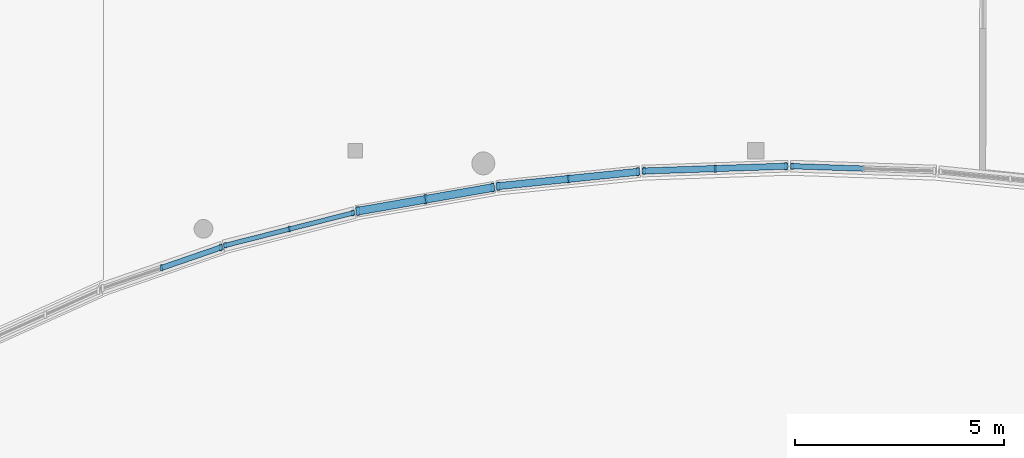
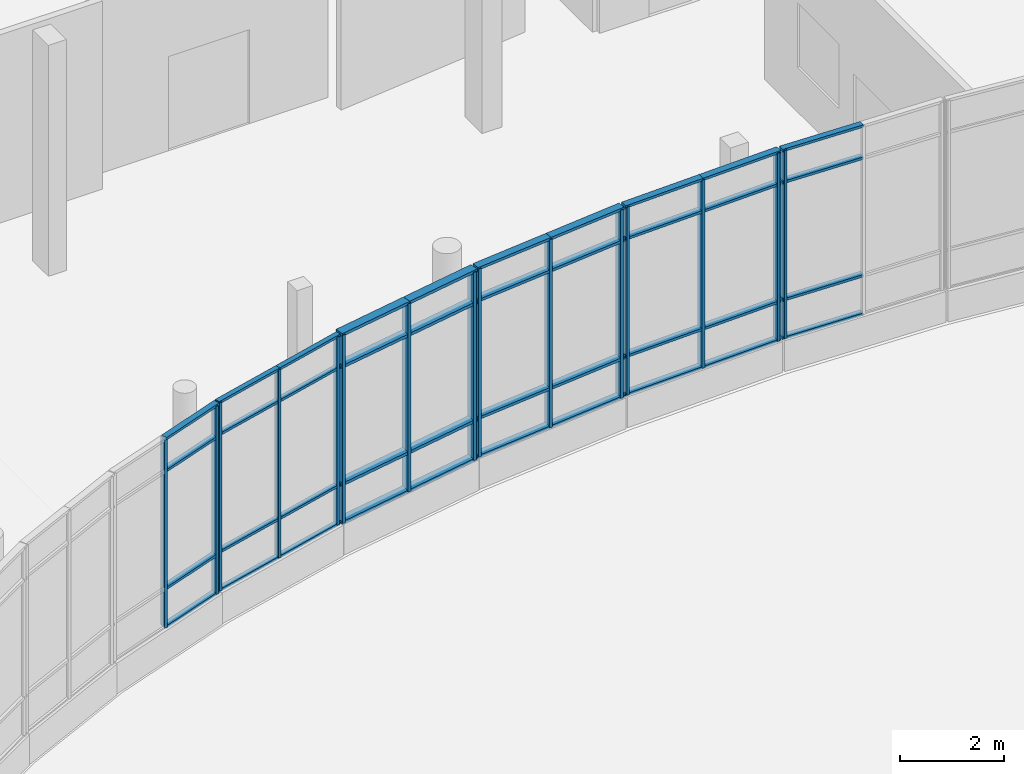
# One storey, part 22 of 84: 55 members, 6 elements without a shape of their own.
"""IFC4 building model written with IfcOpenShell, lengths in metres."""

from ifc_helpers import new_model, si_unit, direction, frame, origin, origin_2d, place, context, subcontext, project, spatial, rectangle, extrude, material, material_profile, profile_set, type_object, element, aggregate, save


model = new_model("IFC4")

# Units and contexts
model_context = context("Model", 3, precision=1e-05, world=origin(), true_north=direction((0.0, 1.0)))
body_context = subcontext(model_context, "Body", "Model", "MODEL_VIEW")
ifc_project = project(units=[si_unit("LENGTHUNIT", "METRE"), si_unit("AREAUNIT", "SQUARE_METRE"), si_unit("VOLUMEUNIT", "CUBIC_METRE"), si_unit("PLANEANGLEUNIT", "RADIAN"), si_unit("MASSUNIT", "GRAM", prefix="KILO")], contexts=[model_context])

# Site, building, storey
site_placement = place(None, origin())
site = spatial("IfcSite", under=ifc_project, at=site_placement, CompositionType="ELEMENT")
building_placement = place(site_placement, origin())
building = spatial("IfcBuilding", under=site, at=building_placement, Name="Mzevani Central Library", CompositionType="ELEMENT")
storey_placement = place(building_placement, origin())
storey = spatial("IfcBuildingStorey", under=building, at=storey_placement, Name="L00", CompositionType="ELEMENT", Elevation=0.0)

# Curtain wall, members
ifc_material_1 = material(Name="Thermally broken aluminium and Low-E triple glazing", Category="aluminium")
curtain_wall_type_1 = type_object("IfcCurtainWallType", Name="Reading Hall Northlight Curtain Wall", PredefinedType="NOTDEFINED", material=ifc_material_1)
curtain_wall_1_placement = place(storey_placement, origin())
curtain_wall_1 = element("IfcCurtainWall", 1, at=curtain_wall_1_placement, inside=storey, type_object=curtain_wall_type_1, Name="L00 Elliptical Court Curtain Wall 16", PredefinedType="NOTDEFINED")
ifc_material_2 = material(Name="Thermally broken aluminium AW-6060", Category="aluminium")
ifc_material_profile_1 = material_profile(ifc_material_2, rectangle(XDim=0.06005859375, YDim=0.139892578125, at=origin_2d()), Name="ALU M60x140")
ifc_profile_set_1 = profile_set([ifc_material_profile_1], Name="Thermally broken aluminium AW-6060")
member_type_1 = type_object("IfcMemberType", Name="CW Mullion 60x140", PredefinedType="MULLION", material=ifc_profile_set_1)
member_1_placement = place(storey_placement, frame((73.54345703125, 88.907470703125, 0.719970703125), z_axis=(0.0, 0.0, 1.0), x_axis=(1.0, 0.0, 0.0)))
member_1 = element("IfcMember", 2, at=member_1_placement, type_object=member_type_1, Name="L00 Elliptical Court Curtain Wall 16 Mullion 1", PredefinedType="MULLION", context=body_context, shape_type="SweptSolid", body=[
    extrude(rectangle(XDim=0.06005859375, YDim=0.139892578125, at=origin_2d()), origin(), (0.0, 0.0, 1.0), 4.400146484375),
])
member_2_placement = place(storey_placement, frame((72.02001953125, 88.520263671875, 0.719970703125), z_axis=(0.0, 0.0, 1.0), x_axis=(1.0, 0.0, 0.0)))
member_2 = element("IfcMember", 3, at=member_2_placement, type_object=member_type_1, Name="L00 Elliptical Court Curtain Wall 16 Mullion 2", PredefinedType="MULLION", context=body_context, shape_type="SweptSolid", body=[
    extrude(rectangle(XDim=0.06005859375, YDim=0.139892578125, at=origin_2d()), origin(), (0.0, 0.0, 1.0), 4.400146484375),
])
member_3_placement = place(storey_placement, frame((70.496337890625, 88.133056640625, 0.719970703125), z_axis=(0.0, 0.0, 1.0), x_axis=(1.0, 0.0, 0.0)))
member_3 = element("IfcMember", 4, at=member_3_placement, type_object=member_type_1, Name="L00 Elliptical Court Curtain Wall 16 Mullion 3", PredefinedType="MULLION", context=body_context, shape_type="SweptSolid", body=[
    extrude(rectangle(XDim=0.06005859375, YDim=0.139892578125, at=origin_2d()), origin(), (0.0, 0.0, 1.0), 4.400146484375),
])

# Curtain wall, member
curtain_wall_type_2 = type_object("IfcCurtainWallType", Name="Elliptical Court Unitised Curtain Wall", PredefinedType="NOTDEFINED", material=ifc_material_1)
curtain_wall_2_placement = place(storey_placement, origin())
curtain_wall_2 = element("IfcCurtainWall", 5, at=curtain_wall_2_placement, inside=storey, type_object=curtain_wall_type_2, Name="L00 Elliptical Court Curtain Wall 12", PredefinedType="NOTDEFINED")
ifc_material_profile_2 = material_profile(ifc_material_2, rectangle(XDim=0.06005859375, YDim=0.159912109375, at=origin_2d()), Name="ALU M60x160")
ifc_profile_set_2 = profile_set([ifc_material_profile_2], Name="Thermally broken aluminium AW-6060")
member_type_2 = type_object("IfcMemberType", Name="CW Mullion 60x160", PredefinedType="MULLION", material=ifc_profile_set_2)
member_4_placement = place(storey_placement, frame((84.077880859375, 90.02880859375, 0.719970703125), z_axis=(0.0, 0.0, 1.0), x_axis=(1.0, 0.0, 0.0)))
member_4 = element("IfcMember", 6, at=member_4_placement, type_object=member_type_2, Name="L00 Elliptical Court Curtain Wall 12 Mullion 3", PredefinedType="MULLION", context=body_context, shape_type="SweptSolid", body=[
    extrude(rectangle(XDim=0.06005859375, YDim=0.159912109375, at=origin_2d()), origin(), (0.0, 0.0, 1.0), 4.400146484375),
])

# Curtain wall, members
curtain_wall_3_placement = place(storey_placement, origin())
curtain_wall_3 = element("IfcCurtainWall", 7, at=curtain_wall_3_placement, inside=storey, type_object=curtain_wall_type_2, Name="L00 Elliptical Court Curtain Wall 17", PredefinedType="NOTDEFINED")
member_5_placement = place(storey_placement, frame((70.37841796875, 88.079833984375, 0.719970703125), z_axis=(0.0, 0.0, 1.0), x_axis=(1.0, 0.0, 0.0)))
member_5 = element("IfcMember", 8, at=member_5_placement, type_object=member_type_2, Name="L00 Elliptical Court Curtain Wall 17 Mullion 1", PredefinedType="MULLION", context=body_context, shape_type="SweptSolid", body=[
    extrude(rectangle(XDim=0.06005859375, YDim=0.159912109375, at=origin_2d()), origin(), (0.0, 0.0, 1.0), 4.400146484375),
])
member_6_placement = place(storey_placement, frame((68.968505859375, 87.59423828125, 0.719970703125), z_axis=(0.0, 0.0, 1.0), x_axis=(1.0, 0.0, 0.0)))
member_6 = element("IfcMember", 9, at=member_6_placement, type_object=member_type_2, Name="L00 Elliptical Court Curtain Wall 17 Mullion 2", PredefinedType="MULLION", context=body_context, shape_type="SweptSolid", body=[
    extrude(rectangle(XDim=0.06005859375, YDim=0.159912109375, at=origin_2d()), origin(), (0.0, 0.0, 1.0), 4.400146484375),
])

curtain_wall_4_placement = place(storey_placement, origin())
curtain_wall_4 = element("IfcCurtainWall", 10, at=curtain_wall_4_placement, inside=storey, type_object=curtain_wall_type_1, Name="L00 Elliptical Court Curtain Wall 13", PredefinedType="NOTDEFINED")
ifc_material_profile_3 = material_profile(ifc_material_2, rectangle(XDim=0.06005859375, YDim=0.179931640625, at=origin_2d()), Name="ALU M60x180")
ifc_profile_set_3 = profile_set([ifc_material_profile_3], Name="Thermally broken aluminium AW-6060")
member_type_3 = type_object("IfcMemberType", Name="CW Mullion 60x180", PredefinedType="MULLION", material=ifc_profile_set_3)
member_7_placement = place(storey_placement, frame((83.922119140625, 90.02880859375, 0.719970703125), z_axis=(0.0, 0.0, 1.0), x_axis=(1.0, 0.0, 0.0)))
member_7 = element("IfcMember", 11, at=member_7_placement, type_object=member_type_3, Name="L00 Elliptical Court Curtain Wall 13 Mullion 1", PredefinedType="MULLION", context=body_context, shape_type="SweptSolid", body=[
    extrude(rectangle(XDim=0.06005859375, YDim=0.179931640625, at=origin_2d()), origin(), (0.0, 0.0, 1.0), 4.400146484375),
])
member_8_placement = place(storey_placement, frame((82.22314453125, 89.971435546875, 0.719970703125), z_axis=(0.0, 0.0, 1.0), x_axis=(1.0, 0.0, 0.0)))
member_8 = element("IfcMember", 12, at=member_8_placement, type_object=member_type_3, Name="L00 Elliptical Court Curtain Wall 13 Mullion 2", PredefinedType="MULLION", context=body_context, shape_type="SweptSolid", body=[
    extrude(rectangle(XDim=0.06005859375, YDim=0.179931640625, at=origin_2d()), origin(), (0.0, 0.0, 1.0), 4.400146484375),
])
member_9_placement = place(storey_placement, frame((80.524169921875, 89.9140625, 0.719970703125), z_axis=(0.0, 0.0, 1.0), x_axis=(1.0, 0.0, 0.0)))
member_9 = element("IfcMember", 13, at=member_9_placement, type_object=member_type_3, Name="L00 Elliptical Court Curtain Wall 13 Mullion 3", PredefinedType="MULLION", context=body_context, shape_type="SweptSolid", body=[
    extrude(rectangle(XDim=0.06005859375, YDim=0.179931640625, at=origin_2d()), origin(), (0.0, 0.0, 1.0), 4.400146484375),
])

curtain_wall_5_placement = place(storey_placement, origin())
curtain_wall_5 = element("IfcCurtainWall", 14, at=curtain_wall_5_placement, inside=storey, type_object=curtain_wall_type_2, Name="L00 Elliptical Court Curtain Wall 14", PredefinedType="NOTDEFINED")
ifc_material_profile_4 = material_profile(ifc_material_2, rectangle(XDim=0.06494140625, YDim=0.199951171875, at=origin_2d()), Name="ALU M65x200")
ifc_profile_set_4 = profile_set([ifc_material_profile_4], Name="Thermally broken aluminium AW-6060")
member_type_4 = type_object("IfcMemberType", Name="CW Mullion 65x200", PredefinedType="MULLION", material=ifc_profile_set_4)
member_10_placement = place(storey_placement, frame((80.373046875, 89.894287109375, 0.719970703125), z_axis=(0.0, 0.0, 1.0), x_axis=(1.0, 0.0, 0.0)))
member_10 = element("IfcMember", 15, at=member_10_placement, type_object=member_type_4, Name="L00 Elliptical Court Curtain Wall 14 Mullion 1", PredefinedType="MULLION", context=body_context, shape_type="SweptSolid", body=[
    extrude(rectangle(XDim=0.06494140625, YDim=0.199951171875, at=origin_2d()), origin(), (0.0, 0.0, 1.0), 4.400146484375),
])
member_11_placement = place(storey_placement, frame((78.70361328125, 89.72314453125, 0.719970703125), z_axis=(0.0, 0.0, 1.0), x_axis=(1.0, 0.0, 0.0)))
member_11 = element("IfcMember", 16, at=member_11_placement, type_object=member_type_4, Name="L00 Elliptical Court Curtain Wall 14 Mullion 2", PredefinedType="MULLION", context=body_context, shape_type="SweptSolid", body=[
    extrude(rectangle(XDim=0.06494140625, YDim=0.199951171875, at=origin_2d()), origin(), (0.0, 0.0, 1.0), 4.400146484375),
])
member_12_placement = place(storey_placement, frame((77.0341796875, 89.552001953125, 0.719970703125), z_axis=(0.0, 0.0, 1.0), x_axis=(1.0, 0.0, 0.0)))
member_12 = element("IfcMember", 17, at=member_12_placement, type_object=member_type_4, Name="L00 Elliptical Court Curtain Wall 14 Mullion 3", PredefinedType="MULLION", context=body_context, shape_type="SweptSolid", body=[
    extrude(rectangle(XDim=0.06494140625, YDim=0.199951171875, at=origin_2d()), origin(), (0.0, 0.0, 1.0), 4.400146484375),
])

curtain_wall_6_placement = place(storey_placement, origin())
curtain_wall_6 = element("IfcCurtainWall", 18, at=curtain_wall_6_placement, inside=storey, type_object=curtain_wall_type_2, Name="L00 Elliptical Court Curtain Wall 15", PredefinedType="NOTDEFINED")
ifc_material_profile_5 = material_profile(ifc_material_2, rectangle(XDim=0.070068359375, YDim=0.219970703125, at=origin_2d()), Name="ALU M70x220")
ifc_profile_set_5 = profile_set([ifc_material_profile_5], Name="Thermally broken aluminium AW-6060")
member_type_5 = type_object("IfcMemberType", Name="CW Mullion 70x220", PredefinedType="MULLION", material=ifc_profile_set_5)
member_13_placement = place(storey_placement, frame((76.893310546875, 89.516845703125, 0.719970703125), z_axis=(0.0, 0.0, 1.0), x_axis=(1.0, 0.0, 0.0)))
member_13 = element("IfcMember", 19, at=member_13_placement, type_object=member_type_5, Name="L00 Elliptical Court Curtain Wall 15 Mullion 1", PredefinedType="MULLION", context=body_context, shape_type="SweptSolid", body=[
    extrude(rectangle(XDim=0.070068359375, YDim=0.219970703125, at=origin_2d()), origin(), (0.0, 0.0, 1.0), 4.400146484375),
])
member_14_placement = place(storey_placement, frame((75.282958984375, 89.235107421875, 0.719970703125), z_axis=(0.0, 0.0, 1.0), x_axis=(1.0, 0.0, 0.0)))
member_14 = element("IfcMember", 20, at=member_14_placement, type_object=member_type_5, Name="L00 Elliptical Court Curtain Wall 15 Mullion 2", PredefinedType="MULLION", context=body_context, shape_type="SweptSolid", body=[
    extrude(rectangle(XDim=0.070068359375, YDim=0.219970703125, at=origin_2d()), origin(), (0.0, 0.0, 1.0), 4.400146484375),
])
member_15_placement = place(storey_placement, frame((73.67236328125, 88.953125, 0.719970703125), z_axis=(0.0, 0.0, 1.0), x_axis=(1.0, 0.0, 0.0)))
member_15 = element("IfcMember", 21, at=member_15_placement, type_object=member_type_5, Name="L00 Elliptical Court Curtain Wall 15 Mullion 3", PredefinedType="MULLION", context=body_context, shape_type="SweptSolid", body=[
    extrude(rectangle(XDim=0.070068359375, YDim=0.219970703125, at=origin_2d()), origin(), (0.0, 0.0, 1.0), 4.400146484375),
])

# Member
ifc_material_profile_6 = material_profile(ifc_material_2, rectangle(XDim=0.110107421875, YDim=0.06005859375, at=origin_2d()), Name="ALU T60x110")
ifc_profile_set_6 = profile_set([ifc_material_profile_6], Name="Thermally broken aluminium AW-6060")
member_type_6 = type_object("IfcMemberType", Name="CW Transom 60x110", PredefinedType="USERDEFINED", material=ifc_profile_set_6)
member_16_placement = place(storey_placement, frame((73.592041015625, 88.919921875, 0.719970703125), z_axis=(-0.969169749502, -0.246393986634, 0.0), x_axis=(0.246393986634, -0.969169749502, 0.0)))
member_16 = element("IfcMember", 22, at=member_16_placement, type_object=member_type_6, Name="L00 Elliptical Court Curtain Wall 16 Transom 1", ObjectType="TRANSOM", PredefinedType="USERDEFINED", context=body_context, shape_type="SweptSolid", body=[
    extrude(rectangle(XDim=0.110107421875, YDim=0.06005859375, at=origin_2d()), origin(), (0.0, 0.0, 1.0), 1.6220703125),
])

member_17_placement = place(storey_placement, frame((73.592041015625, 88.919921875, 1.6201171875), z_axis=(-0.969169749502, -0.246393986634, 0.0), x_axis=(0.246393986634, -0.969169749502, 0.0)))
member_17 = element("IfcMember", 23, at=member_17_placement, type_object=member_type_6, Name="L00 Elliptical Court Curtain Wall 16 Transom 2", ObjectType="TRANSOM", PredefinedType="USERDEFINED", context=body_context, shape_type="SweptSolid", body=[
    extrude(rectangle(XDim=0.110107421875, YDim=0.06005859375, at=origin_2d()), origin(), (0.0, 0.0, 1.0), 1.6220703125),
])

member_18_placement = place(storey_placement, frame((73.592041015625, 88.919921875, 4.3701171875), z_axis=(-0.969169749502, -0.246393986634, 0.0), x_axis=(0.246393986634, -0.969169749502, 0.0)))
member_18 = element("IfcMember", 24, at=member_18_placement, type_object=member_type_6, Name="L00 Elliptical Court Curtain Wall 16 Transom 3", ObjectType="TRANSOM", PredefinedType="USERDEFINED", context=body_context, shape_type="SweptSolid", body=[
    extrude(rectangle(XDim=0.110107421875, YDim=0.06005859375, at=origin_2d()), origin(), (0.0, 0.0, 1.0), 1.6220703125),
])

member_19_placement = place(storey_placement, frame((73.592041015625, 88.919921875, 5.1201171875), z_axis=(-0.969169749502, -0.246393986634, 0.0), x_axis=(0.246393986634, -0.969169749502, 0.0)))
member_19 = element("IfcMember", 25, at=member_19_placement, type_object=member_type_6, Name="L00 Elliptical Court Curtain Wall 16 Transom 4", ObjectType="TRANSOM", PredefinedType="USERDEFINED", context=body_context, shape_type="SweptSolid", body=[
    extrude(rectangle(XDim=0.110107421875, YDim=0.06005859375, at=origin_2d()), origin(), (0.0, 0.0, 1.0), 1.6220703125),
])

member_20_placement = place(storey_placement, frame((72.02001953125, 88.520263671875, 0.719970703125), z_axis=(-0.969205683279, -0.246252601001, 0.0), x_axis=(0.246252601001, -0.969205683279, 0.0)))
member_20 = element("IfcMember", 26, at=member_20_placement, type_object=member_type_6, Name="L00 Elliptical Court Curtain Wall 16 Transom 5", ObjectType="TRANSOM", PredefinedType="USERDEFINED", context=body_context, shape_type="SweptSolid", body=[
    extrude(rectangle(XDim=0.110107421875, YDim=0.06005859375, at=origin_2d()), origin(), (0.0, 0.0, 1.0), 1.6220703125),
])

member_21_placement = place(storey_placement, frame((72.02001953125, 88.520263671875, 1.6201171875), z_axis=(-0.969205683279, -0.246252601001, 0.0), x_axis=(0.246252601001, -0.969205683279, 0.0)))
member_21 = element("IfcMember", 27, at=member_21_placement, type_object=member_type_6, Name="L00 Elliptical Court Curtain Wall 16 Transom 6", ObjectType="TRANSOM", PredefinedType="USERDEFINED", context=body_context, shape_type="SweptSolid", body=[
    extrude(rectangle(XDim=0.110107421875, YDim=0.06005859375, at=origin_2d()), origin(), (0.0, 0.0, 1.0), 1.6220703125),
])

member_22_placement = place(storey_placement, frame((72.02001953125, 88.520263671875, 4.3701171875), z_axis=(-0.969205683279, -0.246252601001, 0.0), x_axis=(0.246252601001, -0.969205683279, 0.0)))
member_22 = element("IfcMember", 28, at=member_22_placement, type_object=member_type_6, Name="L00 Elliptical Court Curtain Wall 16 Transom 7", ObjectType="TRANSOM", PredefinedType="USERDEFINED", context=body_context, shape_type="SweptSolid", body=[
    extrude(rectangle(XDim=0.110107421875, YDim=0.06005859375, at=origin_2d()), origin(), (0.0, 0.0, 1.0), 1.6220703125),
])

member_23_placement = place(storey_placement, frame((72.02001953125, 88.520263671875, 5.1201171875), z_axis=(-0.969205683279, -0.246252601001, 0.0), x_axis=(0.246252601001, -0.969205683279, 0.0)))
member_23 = element("IfcMember", 29, at=member_23_placement, type_object=member_type_6, Name="L00 Elliptical Court Curtain Wall 16 Transom 8", ObjectType="TRANSOM", PredefinedType="USERDEFINED", context=body_context, shape_type="SweptSolid", body=[
    extrude(rectangle(XDim=0.110107421875, YDim=0.06005859375, at=origin_2d()), origin(), (0.0, 0.0, 1.0), 1.6220703125),
])

aggregate(curtain_wall_1, [member_1, member_2, member_3, member_16, member_17, member_18, member_19, member_20, member_21, member_22, member_23])

ifc_material_profile_7 = material_profile(ifc_material_2, rectangle(XDim=0.1298828125, YDim=0.06005859375, at=origin_2d()), Name="ALU T60x130")
ifc_profile_set_7 = profile_set([ifc_material_profile_7], Name="Thermally broken aluminium AW-6060")
member_type_7 = type_object("IfcMemberType", Name="CW Transom 60x130", PredefinedType="USERDEFINED", material=ifc_profile_set_7)
member_24_placement = place(storey_placement, frame((85.77685546875, 89.971435546875, 0.719970703125), z_axis=(-0.999429943241, 0.033760754643, 0.0), x_axis=(-0.033760754643, -0.999429943241, 0.0)))
member_24 = element("IfcMember", 30, at=member_24_placement, type_object=member_type_7, Name="L00 Elliptical Court Curtain Wall 12 Transom 5", ObjectType="TRANSOM", PredefinedType="USERDEFINED", context=body_context, shape_type="SweptSolid", body=[
    extrude(rectangle(XDim=0.1298828125, YDim=0.06005859375, at=origin_2d()), origin(), (0.0, 0.0, 1.0), 1.75),
])

member_25_placement = place(storey_placement, frame((85.77685546875, 89.971435546875, 1.6201171875), z_axis=(-0.999429943241, 0.033760754643, 0.0), x_axis=(-0.033760754643, -0.999429943241, 0.0)))
member_25 = element("IfcMember", 31, at=member_25_placement, type_object=member_type_7, Name="L00 Elliptical Court Curtain Wall 12 Transom 6", ObjectType="TRANSOM", PredefinedType="USERDEFINED", context=body_context, shape_type="SweptSolid", body=[
    extrude(rectangle(XDim=0.1298828125, YDim=0.06005859375, at=origin_2d()), origin(), (0.0, 0.0, 1.0), 1.75),
])

member_26_placement = place(storey_placement, frame((85.77685546875, 89.971435546875, 4.3701171875), z_axis=(-0.999429943241, 0.033760754643, 0.0), x_axis=(-0.033760754643, -0.999429943241, 0.0)))
member_26 = element("IfcMember", 32, at=member_26_placement, type_object=member_type_7, Name="L00 Elliptical Court Curtain Wall 12 Transom 7", ObjectType="TRANSOM", PredefinedType="USERDEFINED", context=body_context, shape_type="SweptSolid", body=[
    extrude(rectangle(XDim=0.1298828125, YDim=0.06005859375, at=origin_2d()), origin(), (0.0, 0.0, 1.0), 1.75),
])

member_27_placement = place(storey_placement, frame((85.77685546875, 89.971435546875, 5.1201171875), z_axis=(-0.999429943241, 0.033760754643, 0.0), x_axis=(-0.033760754643, -0.999429943241, 0.0)))
member_27 = element("IfcMember", 33, at=member_27_placement, type_object=member_type_7, Name="L00 Elliptical Court Curtain Wall 12 Transom 8", ObjectType="TRANSOM", PredefinedType="USERDEFINED", context=body_context, shape_type="SweptSolid", body=[
    extrude(rectangle(XDim=0.1298828125, YDim=0.06005859375, at=origin_2d()), origin(), (0.0, 0.0, 1.0), 1.75),
])

aggregate(curtain_wall_2, [member_4, member_24, member_25, member_26, member_27])

member_28_placement = place(storey_placement, frame((70.42578125, 88.09619140625, 0.719970703125), z_axis=(-0.945484024902, -0.325668479678, 0.0), x_axis=(0.325668479678, -0.945484024902, 0.0)))
member_28 = element("IfcMember", 34, at=member_28_placement, type_object=member_type_7, Name="L00 Elliptical Court Curtain Wall 17 Transom 1", ObjectType="TRANSOM", PredefinedType="USERDEFINED", context=body_context, shape_type="SweptSolid", body=[
    extrude(rectangle(XDim=0.1298828125, YDim=0.06005859375, at=origin_2d()), origin(), (0.0, 0.0, 1.0), 1.541259765625),
])

member_29_placement = place(storey_placement, frame((70.42578125, 88.09619140625, 1.6201171875), z_axis=(-0.945484024902, -0.325668479678, 0.0), x_axis=(0.325668479678, -0.945484024902, 0.0)))
member_29 = element("IfcMember", 35, at=member_29_placement, type_object=member_type_7, Name="L00 Elliptical Court Curtain Wall 17 Transom 2", ObjectType="TRANSOM", PredefinedType="USERDEFINED", context=body_context, shape_type="SweptSolid", body=[
    extrude(rectangle(XDim=0.1298828125, YDim=0.06005859375, at=origin_2d()), origin(), (0.0, 0.0, 1.0), 1.541259765625),
])

member_30_placement = place(storey_placement, frame((70.42578125, 88.09619140625, 4.3701171875), z_axis=(-0.945484024902, -0.325668479678, 0.0), x_axis=(0.325668479678, -0.945484024902, 0.0)))
member_30 = element("IfcMember", 36, at=member_30_placement, type_object=member_type_7, Name="L00 Elliptical Court Curtain Wall 17 Transom 3", ObjectType="TRANSOM", PredefinedType="USERDEFINED", context=body_context, shape_type="SweptSolid", body=[
    extrude(rectangle(XDim=0.1298828125, YDim=0.06005859375, at=origin_2d()), origin(), (0.0, 0.0, 1.0), 1.541259765625),
])

member_31_placement = place(storey_placement, frame((70.42578125, 88.09619140625, 5.1201171875), z_axis=(-0.945484024902, -0.325668479678, 0.0), x_axis=(0.325668479678, -0.945484024902, 0.0)))
member_31 = element("IfcMember", 37, at=member_31_placement, type_object=member_type_7, Name="L00 Elliptical Court Curtain Wall 17 Transom 4", ObjectType="TRANSOM", PredefinedType="USERDEFINED", context=body_context, shape_type="SweptSolid", body=[
    extrude(rectangle(XDim=0.1298828125, YDim=0.06005859375, at=origin_2d()), origin(), (0.0, 0.0, 1.0), 1.541259765625),
])

aggregate(curtain_wall_3, [member_5, member_6, member_28, member_29, member_30, member_31])

ifc_material_profile_8 = material_profile(ifc_material_2, rectangle(XDim=0.14990234375, YDim=0.06005859375, at=origin_2d()), Name="ALU T60x150")
ifc_profile_set_8 = profile_set([ifc_material_profile_8], Name="Thermally broken aluminium AW-6060")
member_type_8 = type_object("IfcMemberType", Name="CW Transom 60x150", PredefinedType="USERDEFINED", material=ifc_profile_set_8)
member_32_placement = place(storey_placement, frame((83.97216796875, 90.030517578125, 0.719970703125), z_axis=(-0.999429943241, -0.033760754643, 0.0), x_axis=(0.033760754643, -0.999429943241, 0.0)))
member_32 = element("IfcMember", 38, at=member_32_placement, type_object=member_type_8, Name="L00 Elliptical Court Curtain Wall 13 Transom 1", ObjectType="TRANSOM", PredefinedType="USERDEFINED", context=body_context, shape_type="SweptSolid", body=[
    extrude(rectangle(XDim=0.14990234375, YDim=0.06005859375, at=origin_2d()), origin(), (0.0, 0.0, 1.0), 1.75),
])

member_33_placement = place(storey_placement, frame((83.97216796875, 90.030517578125, 1.6201171875), z_axis=(-0.999429943241, -0.033760754643, 0.0), x_axis=(0.033760754643, -0.999429943241, 0.0)))
member_33 = element("IfcMember", 39, at=member_33_placement, type_object=member_type_8, Name="L00 Elliptical Court Curtain Wall 13 Transom 2", ObjectType="TRANSOM", PredefinedType="USERDEFINED", context=body_context, shape_type="SweptSolid", body=[
    extrude(rectangle(XDim=0.14990234375, YDim=0.06005859375, at=origin_2d()), origin(), (0.0, 0.0, 1.0), 1.75),
])

member_34_placement = place(storey_placement, frame((83.97216796875, 90.030517578125, 4.3701171875), z_axis=(-0.999429943241, -0.033760754643, 0.0), x_axis=(0.033760754643, -0.999429943241, 0.0)))
member_34 = element("IfcMember", 40, at=member_34_placement, type_object=member_type_8, Name="L00 Elliptical Court Curtain Wall 13 Transom 3", ObjectType="TRANSOM", PredefinedType="USERDEFINED", context=body_context, shape_type="SweptSolid", body=[
    extrude(rectangle(XDim=0.14990234375, YDim=0.06005859375, at=origin_2d()), origin(), (0.0, 0.0, 1.0), 1.75),
])

member_35_placement = place(storey_placement, frame((83.97216796875, 90.030517578125, 5.1201171875), z_axis=(-0.999429943241, -0.033760754643, 0.0), x_axis=(0.033760754643, -0.999429943241, 0.0)))
member_35 = element("IfcMember", 41, at=member_35_placement, type_object=member_type_8, Name="L00 Elliptical Court Curtain Wall 13 Transom 4", ObjectType="TRANSOM", PredefinedType="USERDEFINED", context=body_context, shape_type="SweptSolid", body=[
    extrude(rectangle(XDim=0.14990234375, YDim=0.06005859375, at=origin_2d()), origin(), (0.0, 0.0, 1.0), 1.75),
])

member_36_placement = place(storey_placement, frame((82.22314453125, 89.971435546875, 0.719970703125), z_axis=(-0.999429943241, -0.033760754643, 0.0), x_axis=(0.033760754643, -0.999429943241, 0.0)))
member_36 = element("IfcMember", 42, at=member_36_placement, type_object=member_type_8, Name="L00 Elliptical Court Curtain Wall 13 Transom 5", ObjectType="TRANSOM", PredefinedType="USERDEFINED", context=body_context, shape_type="SweptSolid", body=[
    extrude(rectangle(XDim=0.14990234375, YDim=0.06005859375, at=origin_2d()), origin(), (0.0, 0.0, 1.0), 1.75),
])

member_37_placement = place(storey_placement, frame((82.22314453125, 89.971435546875, 1.6201171875), z_axis=(-0.999429943241, -0.033760754643, 0.0), x_axis=(0.033760754643, -0.999429943241, 0.0)))
member_37 = element("IfcMember", 43, at=member_37_placement, type_object=member_type_8, Name="L00 Elliptical Court Curtain Wall 13 Transom 6", ObjectType="TRANSOM", PredefinedType="USERDEFINED", context=body_context, shape_type="SweptSolid", body=[
    extrude(rectangle(XDim=0.14990234375, YDim=0.06005859375, at=origin_2d()), origin(), (0.0, 0.0, 1.0), 1.75),
])

member_38_placement = place(storey_placement, frame((82.22314453125, 89.971435546875, 4.3701171875), z_axis=(-0.999429943241, -0.033760754643, 0.0), x_axis=(0.033760754643, -0.999429943241, 0.0)))
member_38 = element("IfcMember", 44, at=member_38_placement, type_object=member_type_8, Name="L00 Elliptical Court Curtain Wall 13 Transom 7", ObjectType="TRANSOM", PredefinedType="USERDEFINED", context=body_context, shape_type="SweptSolid", body=[
    extrude(rectangle(XDim=0.14990234375, YDim=0.06005859375, at=origin_2d()), origin(), (0.0, 0.0, 1.0), 1.75),
])

member_39_placement = place(storey_placement, frame((82.22314453125, 89.971435546875, 5.1201171875), z_axis=(-0.999429943241, -0.033760754643, 0.0), x_axis=(0.033760754643, -0.999429943241, 0.0)))
member_39 = element("IfcMember", 45, at=member_39_placement, type_object=member_type_8, Name="L00 Elliptical Court Curtain Wall 13 Transom 8", ObjectType="TRANSOM", PredefinedType="USERDEFINED", context=body_context, shape_type="SweptSolid", body=[
    extrude(rectangle(XDim=0.14990234375, YDim=0.06005859375, at=origin_2d()), origin(), (0.0, 0.0, 1.0), 1.75),
])

aggregate(curtain_wall_4, [member_7, member_8, member_9, member_32, member_33, member_34, member_35, member_36, member_37, member_38, member_39])

ifc_material_profile_9 = material_profile(ifc_material_2, rectangle(XDim=0.169921875, YDim=0.06494140625, at=origin_2d()), Name="ALU T65x170")
ifc_profile_set_9 = profile_set([ifc_material_profile_9], Name="Thermally broken aluminium AW-6060")
member_type_9 = type_object("IfcMemberType", Name="CW Transom 65x170", PredefinedType="USERDEFINED", material=ifc_profile_set_9)
member_40_placement = place(storey_placement, frame((80.422607421875, 89.8994140625, 0.719970703125), z_axis=(-0.994783644511, -0.102007355679, 0.0), x_axis=(0.102007355679, -0.994783644511, 0.0)))
member_40 = element("IfcMember", 46, at=member_40_placement, type_object=member_type_9, Name="L00 Elliptical Court Curtain Wall 14 Transom 1", ObjectType="TRANSOM", PredefinedType="USERDEFINED", context=body_context, shape_type="SweptSolid", body=[
    extrude(rectangle(XDim=0.169921875, YDim=0.06494140625, at=origin_2d()), origin(), (0.0, 0.0, 1.0), 1.72802734375),
])

member_41_placement = place(storey_placement, frame((80.422607421875, 89.8994140625, 1.6201171875), z_axis=(-0.994783644511, -0.102007355679, 0.0), x_axis=(0.102007355679, -0.994783644511, 0.0)))
member_41 = element("IfcMember", 47, at=member_41_placement, type_object=member_type_9, Name="L00 Elliptical Court Curtain Wall 14 Transom 2", ObjectType="TRANSOM", PredefinedType="USERDEFINED", context=body_context, shape_type="SweptSolid", body=[
    extrude(rectangle(XDim=0.169921875, YDim=0.06494140625, at=origin_2d()), origin(), (0.0, 0.0, 1.0), 1.72802734375),
])

member_42_placement = place(storey_placement, frame((80.422607421875, 89.8994140625, 4.3701171875), z_axis=(-0.994783644511, -0.102007355679, 0.0), x_axis=(0.102007355679, -0.994783644511, 0.0)))
member_42 = element("IfcMember", 48, at=member_42_placement, type_object=member_type_9, Name="L00 Elliptical Court Curtain Wall 14 Transom 3", ObjectType="TRANSOM", PredefinedType="USERDEFINED", context=body_context, shape_type="SweptSolid", body=[
    extrude(rectangle(XDim=0.169921875, YDim=0.06494140625, at=origin_2d()), origin(), (0.0, 0.0, 1.0), 1.72802734375),
])

member_43_placement = place(storey_placement, frame((80.422607421875, 89.8994140625, 5.1201171875), z_axis=(-0.994783644511, -0.102007355679, 0.0), x_axis=(0.102007355679, -0.994783644511, 0.0)))
member_43 = element("IfcMember", 49, at=member_43_placement, type_object=member_type_9, Name="L00 Elliptical Court Curtain Wall 14 Transom 4", ObjectType="TRANSOM", PredefinedType="USERDEFINED", context=body_context, shape_type="SweptSolid", body=[
    extrude(rectangle(XDim=0.169921875, YDim=0.06494140625, at=origin_2d()), origin(), (0.0, 0.0, 1.0), 1.72802734375),
])

member_44_placement = place(storey_placement, frame((78.70361328125, 89.72314453125, 0.719970703125), z_axis=(-0.994785114337, -0.101993020811, 0.0), x_axis=(0.101993020811, -0.994785114337, 0.0)))
member_44 = element("IfcMember", 50, at=member_44_placement, type_object=member_type_9, Name="L00 Elliptical Court Curtain Wall 14 Transom 5", ObjectType="TRANSOM", PredefinedType="USERDEFINED", context=body_context, shape_type="SweptSolid", body=[
    extrude(rectangle(XDim=0.169921875, YDim=0.06494140625, at=origin_2d()), origin(), (0.0, 0.0, 1.0), 1.728271484375),
])

member_45_placement = place(storey_placement, frame((78.70361328125, 89.72314453125, 1.6201171875), z_axis=(-0.994785114337, -0.101993020811, 0.0), x_axis=(0.101993020811, -0.994785114337, 0.0)))
member_45 = element("IfcMember", 51, at=member_45_placement, type_object=member_type_9, Name="L00 Elliptical Court Curtain Wall 14 Transom 6", ObjectType="TRANSOM", PredefinedType="USERDEFINED", context=body_context, shape_type="SweptSolid", body=[
    extrude(rectangle(XDim=0.169921875, YDim=0.06494140625, at=origin_2d()), origin(), (0.0, 0.0, 1.0), 1.728271484375),
])

member_46_placement = place(storey_placement, frame((78.70361328125, 89.72314453125, 4.3701171875), z_axis=(-0.994785114337, -0.101993020811, 0.0), x_axis=(0.101993020811, -0.994785114337, 0.0)))
member_46 = element("IfcMember", 52, at=member_46_placement, type_object=member_type_9, Name="L00 Elliptical Court Curtain Wall 14 Transom 7", ObjectType="TRANSOM", PredefinedType="USERDEFINED", context=body_context, shape_type="SweptSolid", body=[
    extrude(rectangle(XDim=0.169921875, YDim=0.06494140625, at=origin_2d()), origin(), (0.0, 0.0, 1.0), 1.728271484375),
])

member_47_placement = place(storey_placement, frame((78.70361328125, 89.72314453125, 5.1201171875), z_axis=(-0.994785114337, -0.101993020811, 0.0), x_axis=(0.101993020811, -0.994785114337, 0.0)))
member_47 = element("IfcMember", 53, at=member_47_placement, type_object=member_type_9, Name="L00 Elliptical Court Curtain Wall 14 Transom 8", ObjectType="TRANSOM", PredefinedType="USERDEFINED", context=body_context, shape_type="SweptSolid", body=[
    extrude(rectangle(XDim=0.169921875, YDim=0.06494140625, at=origin_2d()), origin(), (0.0, 0.0, 1.0), 1.728271484375),
])

aggregate(curtain_wall_5, [member_10, member_11, member_12, member_40, member_41, member_42, member_43, member_44, member_45, member_46, member_47])

ifc_material_profile_10 = material_profile(ifc_material_2, rectangle(XDim=0.18994140625, YDim=0.070068359375, at=origin_2d()), Name="ALU T70x190")
ifc_profile_set_10 = profile_set([ifc_material_profile_10], Name="Thermally broken aluminium AW-6060")
member_type_10 = type_object("IfcMemberType", Name="CW Transom 70x190", PredefinedType="USERDEFINED", material=ifc_profile_set_10)
member_48_placement = place(storey_placement, frame((76.942626953125, 89.525390625, 0.719970703125), z_axis=(-0.985046455782, -0.172288943208, 0.0), x_axis=(0.172288943208, -0.985046455782, 0.0)))
member_48 = element("IfcMember", 54, at=member_48_placement, type_object=member_type_10, Name="L00 Elliptical Court Curtain Wall 15 Transom 1", ObjectType="TRANSOM", PredefinedType="USERDEFINED", context=body_context, shape_type="SweptSolid", body=[
    extrude(rectangle(XDim=0.18994140625, YDim=0.070068359375, at=origin_2d()), origin(), (0.0, 0.0, 1.0), 1.684814453125),
])

member_49_placement = place(storey_placement, frame((76.942626953125, 89.525390625, 1.6201171875), z_axis=(-0.985046455782, -0.172288943208, 0.0), x_axis=(0.172288943208, -0.985046455782, 0.0)))
member_49 = element("IfcMember", 55, at=member_49_placement, type_object=member_type_10, Name="L00 Elliptical Court Curtain Wall 15 Transom 2", ObjectType="TRANSOM", PredefinedType="USERDEFINED", context=body_context, shape_type="SweptSolid", body=[
    extrude(rectangle(XDim=0.18994140625, YDim=0.070068359375, at=origin_2d()), origin(), (0.0, 0.0, 1.0), 1.684814453125),
])

member_50_placement = place(storey_placement, frame((76.942626953125, 89.525390625, 4.3701171875), z_axis=(-0.985046455782, -0.172288943208, 0.0), x_axis=(0.172288943208, -0.985046455782, 0.0)))
member_50 = element("IfcMember", 56, at=member_50_placement, type_object=member_type_10, Name="L00 Elliptical Court Curtain Wall 15 Transom 3", ObjectType="TRANSOM", PredefinedType="USERDEFINED", context=body_context, shape_type="SweptSolid", body=[
    extrude(rectangle(XDim=0.18994140625, YDim=0.070068359375, at=origin_2d()), origin(), (0.0, 0.0, 1.0), 1.684814453125),
])

member_51_placement = place(storey_placement, frame((76.942626953125, 89.525390625, 5.1201171875), z_axis=(-0.985046455782, -0.172288943208, 0.0), x_axis=(0.172288943208, -0.985046455782, 0.0)))
member_51 = element("IfcMember", 57, at=member_51_placement, type_object=member_type_10, Name="L00 Elliptical Court Curtain Wall 15 Transom 4", ObjectType="TRANSOM", PredefinedType="USERDEFINED", context=body_context, shape_type="SweptSolid", body=[
    extrude(rectangle(XDim=0.18994140625, YDim=0.070068359375, at=origin_2d()), origin(), (0.0, 0.0, 1.0), 1.684814453125),
])

member_52_placement = place(storey_placement, frame((75.282958984375, 89.235107421875, 0.719970703125), z_axis=(-0.985026161799, -0.172404931981, 0.0), x_axis=(0.172404931981, -0.985026161799, 0.0)))
member_52 = element("IfcMember", 58, at=member_52_placement, type_object=member_type_10, Name="L00 Elliptical Court Curtain Wall 15 Transom 5", ObjectType="TRANSOM", PredefinedType="USERDEFINED", context=body_context, shape_type="SweptSolid", body=[
    extrude(rectangle(XDim=0.18994140625, YDim=0.070068359375, at=origin_2d()), origin(), (0.0, 0.0, 1.0), 1.68505859375),
])

member_53_placement = place(storey_placement, frame((75.282958984375, 89.235107421875, 1.6201171875), z_axis=(-0.985026161799, -0.172404931981, 0.0), x_axis=(0.172404931981, -0.985026161799, 0.0)))
member_53 = element("IfcMember", 59, at=member_53_placement, type_object=member_type_10, Name="L00 Elliptical Court Curtain Wall 15 Transom 6", ObjectType="TRANSOM", PredefinedType="USERDEFINED", context=body_context, shape_type="SweptSolid", body=[
    extrude(rectangle(XDim=0.18994140625, YDim=0.070068359375, at=origin_2d()), origin(), (0.0, 0.0, 1.0), 1.68505859375),
])

member_54_placement = place(storey_placement, frame((75.282958984375, 89.235107421875, 4.3701171875), z_axis=(-0.985026161799, -0.172404931981, 0.0), x_axis=(0.172404931981, -0.985026161799, 0.0)))
member_54 = element("IfcMember", 60, at=member_54_placement, type_object=member_type_10, Name="L00 Elliptical Court Curtain Wall 15 Transom 7", ObjectType="TRANSOM", PredefinedType="USERDEFINED", context=body_context, shape_type="SweptSolid", body=[
    extrude(rectangle(XDim=0.18994140625, YDim=0.070068359375, at=origin_2d()), origin(), (0.0, 0.0, 1.0), 1.68505859375),
])

member_55_placement = place(storey_placement, frame((75.282958984375, 89.235107421875, 5.1201171875), z_axis=(-0.985026161799, -0.172404931981, 0.0), x_axis=(0.172404931981, -0.985026161799, 0.0)))
member_55 = element("IfcMember", 61, at=member_55_placement, type_object=member_type_10, Name="L00 Elliptical Court Curtain Wall 15 Transom 8", ObjectType="TRANSOM", PredefinedType="USERDEFINED", context=body_context, shape_type="SweptSolid", body=[
    extrude(rectangle(XDim=0.18994140625, YDim=0.070068359375, at=origin_2d()), origin(), (0.0, 0.0, 1.0), 1.68505859375),
])

aggregate(curtain_wall_6, [member_13, member_14, member_15, member_48, member_49, member_50, member_51, member_52, member_53, member_54, member_55])

save(model, "model.ifc")
